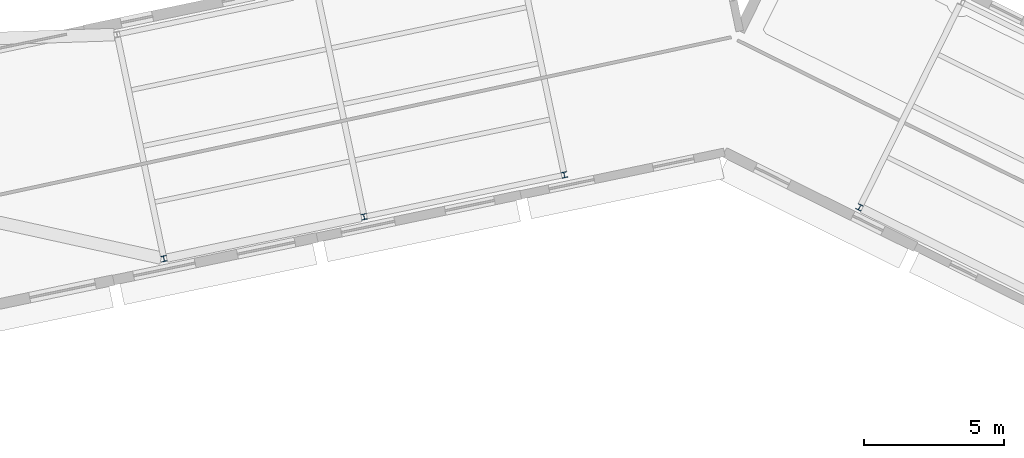
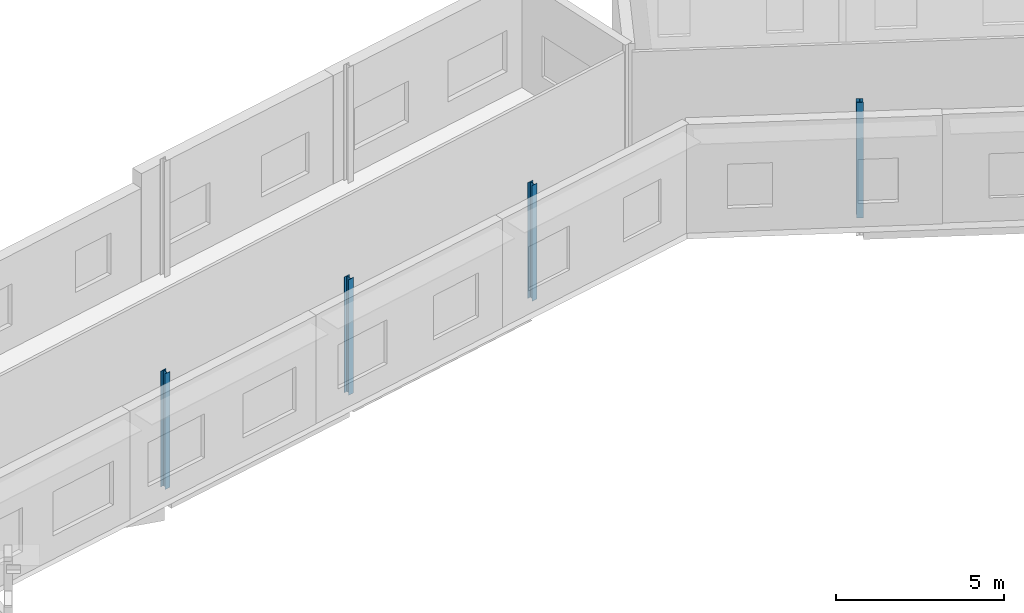
# One storey, part 9 of 90: 4 columns.
"""IFC4 building model written with IfcOpenShell, lengths in metres."""

from ifc_helpers import new_model, si_unit, direction, frame, origin, origin_2d, place, context, subcontext, project, spatial, i_section, extrude, material, material_profile, profile_set, type_object, element, save


model = new_model("IFC4")

# Units and contexts
model_context = context("Model", 3, precision=1e-05, world=origin(), true_north=direction((0.0, 1.0)))
body_context = subcontext(model_context, "Body", "Model", "MODEL_VIEW")
ifc_project = project(units=[si_unit("LENGTHUNIT", "METRE"), si_unit("AREAUNIT", "SQUARE_METRE"), si_unit("VOLUMEUNIT", "CUBIC_METRE"), si_unit("PLANEANGLEUNIT", "RADIAN"), si_unit("MASSUNIT", "GRAM", prefix="KILO")], contexts=[model_context])

# Site, building, storey
site_placement = place(None, origin())
site = spatial("IfcSite", under=ifc_project, at=site_placement, CompositionType="ELEMENT")
building_placement = place(site_placement, origin())
building = spatial("IfcBuilding", under=site, at=building_placement, Name="Wrenclough Park School", CompositionType="ELEMENT")
storey_placement = place(building_placement, frame((0.0, 0.0, 8.39990234375)))
storey = spatial("IfcBuildingStorey", under=building, at=storey_placement, Name="L02", CompositionType="ELEMENT", Elevation=8.39990234375)

# Columns
ifc_material = material(Name="Structural steel S355", Category="steel")
ifc_material_profile = material_profile(ifc_material, i_section(OverallWidth=0.20361328125, OverallDepth=0.203125, WebThickness=0.007080078125, FlangeThickness=0.010986328125, FilletRadius=0.01025390625, at=origin_2d()), Name="UKC 203x203x46")
ifc_profile_set = profile_set([ifc_material_profile], Name="Structural steel S355")
column_type = type_object("IfcColumnType", Name="STR-COL-UKC203A", PredefinedType="COLUMN", material=ifc_profile_set)
for number, where, z_axis, x_axis, name in (
    (1, (105.33984375, 108.987060546875, 0.0), (0.0, 0.0, 1.0), (0.978795946539, 0.204837728554, 0.0), "W45 L02 column W45-C1-R03"),
    (2, (112.506591796875, 110.487060546875, 0.0), (0.0, 0.0, 1.0), (0.978795946539, 0.204837728554, 0.0), "W45 L02 column W45-C1-R04"),
    (3, (119.67333984375, 111.987060546875, 0.0), (0.0, 0.0, 1.0), (0.978795946539, 0.204837728554, 0.0), "W45 L02 column W45-C1-R05"),
    (4, (130.244140625, 110.8251953125, 0.0), (0.0, 0.0, 1.0), (0.896254315973, -0.443540529265, 0.0), "W45 L02 column W45-C2-R01"),
):
    element("IfcColumn", number, at=place(storey_placement, frame(where, z_axis=z_axis, x_axis=x_axis)), inside=storey, type_object=column_type, Name=name, PredefinedType="COLUMN", context=body_context, shape_type="SweptSolid", body=[
        extrude(i_section(OverallWidth=0.20361328125, OverallDepth=0.203125, WebThickness=0.007080078125, FlangeThickness=0.010986328125, FilletRadius=0.01025390625, at=origin_2d()), origin(), (0.0, 0.0, 1.0), 4.2001953125),
    ])

save(model, "model.ifc")
